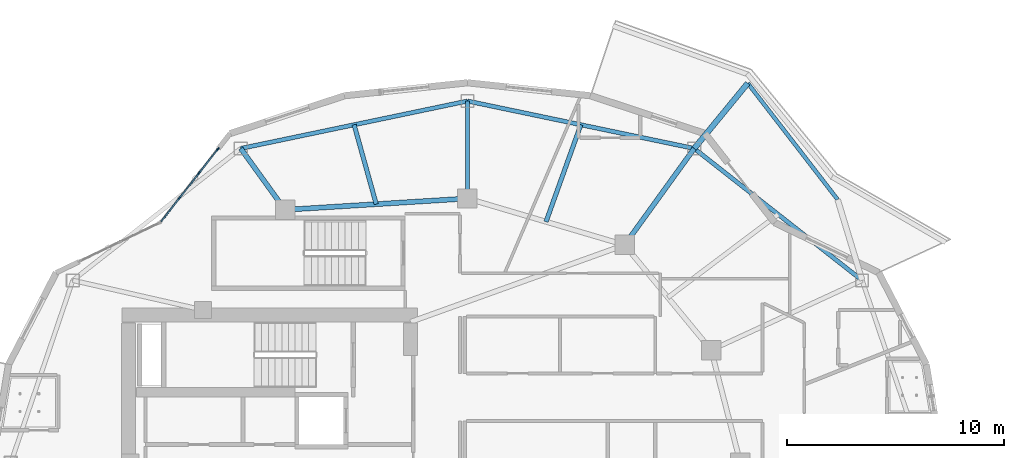
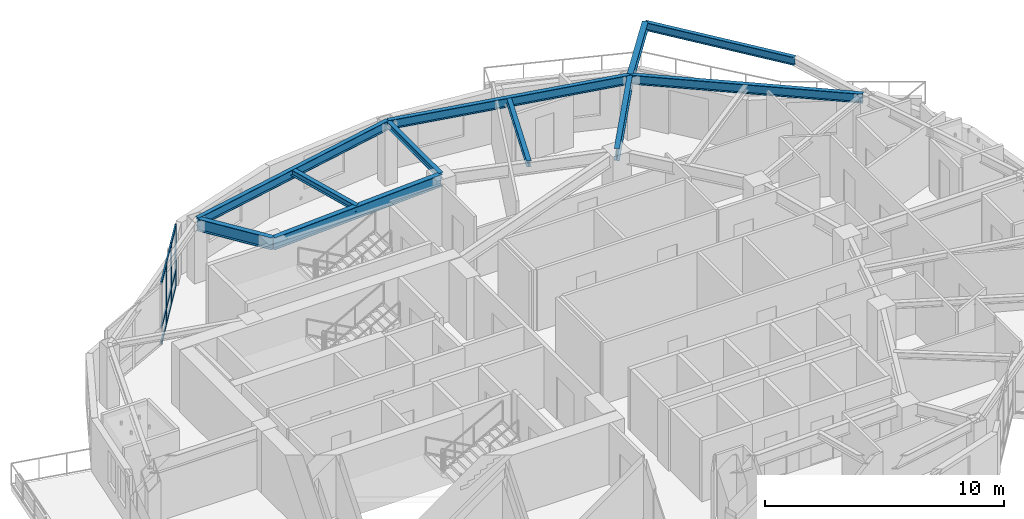
# One storey, part 6 of 19: 12 members, 11 beams, 1 element without a shape of its own.
"""IFC4 building model written with IfcOpenShell, lengths in metres."""

from ifc_helpers import new_model, si_unit, direction, frame, origin, origin_2d, place, context, subcontext, project, spatial, rectangle, i_section, extrude, material, layer, layer_set, material_profile, profile_set, type_object, element, aggregate, save


model = new_model("IFC4")

# Units and contexts
model_context = context("Model", 3, precision=1e-05, world=origin(), true_north=direction((0.0, 1.0)))
body_context = subcontext(model_context, "Body", "Model", "MODEL_VIEW")
ifc_project = project(units=[si_unit("LENGTHUNIT", "METRE"), si_unit("AREAUNIT", "SQUARE_METRE"), si_unit("VOLUMEUNIT", "CUBIC_METRE"), si_unit("PLANEANGLEUNIT", "RADIAN"), si_unit("MASSUNIT", "GRAM", prefix="KILO")], contexts=[model_context])

# Site, building, storey
site_placement = place(None, origin())
site = spatial("IfcSite", under=ifc_project, at=site_placement, CompositionType="ELEMENT")
building_placement = place(site_placement, origin())
building = spatial("IfcBuilding", under=site, at=building_placement, Name="Kolvaren Gate Tower and Convention Centre", CompositionType="ELEMENT")
storey_placement = place(building_placement, frame((0.0, 0.0, 163.10009765625)))
storey = spatial("IfcBuildingStorey", under=building, at=storey_placement, Name="L42", CompositionType="ELEMENT", Elevation=163.10009765625)

# Curtain wall, members
ifc_material_1 = material(Name="Anodized Architectural Aluminium Alloy 6063-T6", Category="aluminium")
ifc_layer = layer(ifc_material_1, 0.159912109375)
ifc_layer_set = layer_set([ifc_layer], Name="Anodized Architectural Aluminium Alloy 6063-T6")
curtain_wall_type = type_object("IfcCurtainWallType", Name="CW-HTL-UNIT", PredefinedType="NOTDEFINED", material=ifc_layer_set)
curtain_wall_placement = place(storey_placement, origin())
curtain_wall = element("IfcCurtainWall", 1, at=curtain_wall_placement, inside=storey, type_object=curtain_wall_type, Name="Tower L42 Unitised Curtain Wall CW-HTL-UNIT Bay 08", PredefinedType="NOTDEFINED")
ifc_material_profile_1 = material_profile(ifc_material_1, rectangle(XDim=0.06494140625, YDim=0.159912109375, at=origin_2d()), Name="CW-MEM-MUL-160")
ifc_profile_set_1 = profile_set([ifc_material_profile_1], Name="Anodized Architectural Aluminium Alloy 6063-T6")
member_type_1 = type_object("IfcMemberType", Name="CW-MEM-MUL-160", PredefinedType="MULLION", material=ifc_profile_set_1)
member_1_placement = place(storey_placement, frame((16.829833984375, 39.22705078125, 0.0), z_axis=(0.0, 0.0, 1.0), x_axis=(-0.787394793807, 0.616449056034, 0.0)))
member_1 = element("IfcMember", 2, at=member_1_placement, type_object=member_type_1, Name="CW-03 mullion 2", PredefinedType="MULLION", context=body_context, shape_type="SweptSolid", body=[
    extrude(rectangle(XDim=0.06494140625, YDim=0.159912109375, at=origin_2d()), origin(), (0.0, 0.0, 1.0), 3.1298828125),
])
member_2_placement = place(storey_placement, frame((17.722900390625, 40.367919921875, 0.0), z_axis=(0.0, 0.0, 1.0), x_axis=(-0.787394793807, 0.616449056034, 0.0)))
member_2 = element("IfcMember", 3, at=member_2_placement, type_object=member_type_1, Name="CW-03 mullion 3", PredefinedType="MULLION", context=body_context, shape_type="SweptSolid", body=[
    extrude(rectangle(XDim=0.06494140625, YDim=0.159912109375, at=origin_2d()), origin(), (0.0, 0.0, 1.0), 3.1298828125),
])
member_3_placement = place(storey_placement, frame((18.59619140625, 41.483154296875, 0.0), z_axis=(0.0, 0.0, 1.0), x_axis=(-0.787394793807, 0.616449056034, 0.0)))
member_3 = element("IfcMember", 4, at=member_3_placement, type_object=member_type_1, Name="CW-03 mullion 4", PredefinedType="MULLION", context=body_context, shape_type="SweptSolid", body=[
    extrude(rectangle(XDim=0.06494140625, YDim=0.159912109375, at=origin_2d()), origin(), (0.0, 0.0, 1.0), 3.1298828125),
])
ifc_material_profile_2 = material_profile(ifc_material_1, rectangle(XDim=0.06494140625, YDim=0.159912109375, at=origin_2d()), Name="CW-MEM-TRN-160")
ifc_profile_set_2 = profile_set([ifc_material_profile_2], Name="Anodized Architectural Aluminium Alloy 6063-T6")
member_type_2 = type_object("IfcMemberType", Name="CW-MEM-TRN-160", PredefinedType="USERDEFINED", material=ifc_profile_set_2)
member_4_placement = place(storey_placement, frame((15.9765625, 38.13720703125, 0.032470703125), z_axis=(0.616488451497, 0.787363949626, 0.0), x_axis=(-0.787363949626, 0.616488451497, 0.0)))
member_4 = element("IfcMember", 5, at=member_4_placement, type_object=member_type_2, Name="CW-03 transom 1.1", ObjectType="TRANSOM", PredefinedType="USERDEFINED", context=body_context, shape_type="SweptSolid", body=[
    extrude(rectangle(XDim=0.06494140625, YDim=0.159912109375, at=origin_2d()), origin(), (0.0, 0.0, 1.0), 1.3515625),
])
member_5_placement = place(storey_placement, frame((15.9765625, 38.13720703125, 0.849853515625), z_axis=(0.616488451497, 0.787363949626, 0.0), x_axis=(-0.787363949626, 0.616488451497, 0.0)))
member_5 = element("IfcMember", 6, at=member_5_placement, type_object=member_type_2, Name="CW-03 transom 1.2", ObjectType="TRANSOM", PredefinedType="USERDEFINED", context=body_context, shape_type="SweptSolid", body=[
    extrude(rectangle(XDim=0.06494140625, YDim=0.159912109375, at=origin_2d()), origin(), (0.0, 0.0, 1.0), 1.3515625),
])
member_6_placement = place(storey_placement, frame((15.9765625, 38.13720703125, 3.097412109375), z_axis=(0.616488451497, 0.787363949626, 0.0), x_axis=(-0.787363949626, 0.616488451497, 0.0)))
member_6 = element("IfcMember", 7, at=member_6_placement, type_object=member_type_2, Name="CW-03 transom 1.3", ObjectType="TRANSOM", PredefinedType="USERDEFINED", context=body_context, shape_type="SweptSolid", body=[
    extrude(rectangle(XDim=0.06494140625, YDim=0.159912109375, at=origin_2d()), origin(), (0.0, 0.0, 1.0), 1.3515625),
])
member_7_placement = place(storey_placement, frame((16.849853515625, 39.25244140625, 0.032470703125), z_axis=(0.616355825524, 0.787467774796, 0.0), x_axis=(-0.787467774796, 0.616355825524, 0.0)))
member_7 = element("IfcMember", 8, at=member_7_placement, type_object=member_type_2, Name="CW-03 transom 2.1", ObjectType="TRANSOM", PredefinedType="USERDEFINED", context=body_context, shape_type="SweptSolid", body=[
    extrude(rectangle(XDim=0.06494140625, YDim=0.159912109375, at=origin_2d()), origin(), (0.0, 0.0, 1.0), 1.384033203125),
])
member_8_placement = place(storey_placement, frame((16.849853515625, 39.25244140625, 0.849853515625), z_axis=(0.616355825524, 0.787467774796, 0.0), x_axis=(-0.787467774796, 0.616355825524, 0.0)))
member_8 = element("IfcMember", 9, at=member_8_placement, type_object=member_type_2, Name="CW-03 transom 2.2", ObjectType="TRANSOM", PredefinedType="USERDEFINED", context=body_context, shape_type="SweptSolid", body=[
    extrude(rectangle(XDim=0.06494140625, YDim=0.159912109375, at=origin_2d()), origin(), (0.0, 0.0, 1.0), 1.384033203125),
])
member_9_placement = place(storey_placement, frame((16.849853515625, 39.25244140625, 3.097412109375), z_axis=(0.616355825524, 0.787467774796, 0.0), x_axis=(-0.787467774796, 0.616355825524, 0.0)))
member_9 = element("IfcMember", 10, at=member_9_placement, type_object=member_type_2, Name="CW-03 transom 2.3", ObjectType="TRANSOM", PredefinedType="USERDEFINED", context=body_context, shape_type="SweptSolid", body=[
    extrude(rectangle(XDim=0.06494140625, YDim=0.159912109375, at=origin_2d()), origin(), (0.0, 0.0, 1.0), 1.384033203125),
])
member_10_placement = place(storey_placement, frame((17.742919921875, 40.3935546875, 0.032470703125), z_axis=(0.61657613784, 0.787295285294, 0.0), x_axis=(-0.787295285294, 0.61657613784, 0.0)))
member_10 = element("IfcMember", 11, at=member_10_placement, type_object=member_type_2, Name="CW-03 transom 3.1", ObjectType="TRANSOM", PredefinedType="USERDEFINED", context=body_context, shape_type="SweptSolid", body=[
    extrude(rectangle(XDim=0.06494140625, YDim=0.159912109375, at=origin_2d()), origin(), (0.0, 0.0, 1.0), 1.351318359375),
])
member_11_placement = place(storey_placement, frame((17.742919921875, 40.3935546875, 0.849853515625), z_axis=(0.61657613784, 0.787295285294, 0.0), x_axis=(-0.787295285294, 0.61657613784, 0.0)))
member_11 = element("IfcMember", 12, at=member_11_placement, type_object=member_type_2, Name="CW-03 transom 3.2", ObjectType="TRANSOM", PredefinedType="USERDEFINED", context=body_context, shape_type="SweptSolid", body=[
    extrude(rectangle(XDim=0.06494140625, YDim=0.159912109375, at=origin_2d()), origin(), (0.0, 0.0, 1.0), 1.351318359375),
])
member_12_placement = place(storey_placement, frame((17.742919921875, 40.3935546875, 3.097412109375), z_axis=(0.61657613784, 0.787295285294, 0.0), x_axis=(-0.787295285294, 0.61657613784, 0.0)))
member_12 = element("IfcMember", 13, at=member_12_placement, type_object=member_type_2, Name="CW-03 transom 3.3", ObjectType="TRANSOM", PredefinedType="USERDEFINED", context=body_context, shape_type="SweptSolid", body=[
    extrude(rectangle(XDim=0.06494140625, YDim=0.159912109375, at=origin_2d()), origin(), (0.0, 0.0, 1.0), 1.351318359375),
])
aggregate(curtain_wall, [member_1, member_2, member_3, member_4, member_5, member_6, member_7, member_8, member_9, member_10, member_11, member_12])

# Beams
ifc_material_2 = material(Name="Structural steel ASTM A992 Grade 345 MPa", Category="steel")
ifc_material_profile_3 = material_profile(ifc_material_2, i_section(OverallWidth=0.260009765625, OverallDepth=0.419921875, WebThickness=0.013427734375, FlangeThickness=0.0224609375, at=origin_2d()), Name="W410X132")
ifc_profile_set_3 = profile_set([ifc_material_profile_3], Name="Structural steel ASTM A992 Grade 345 MPa")
beam_type_1 = type_object("IfcBeamType", Name="STR-BM-W410X132", PredefinedType="BEAM", material=ifc_profile_set_3)
beam_1_placement = place(storey_placement, frame((40.596435546875, 41.509521484375, 2.92041015625), z_axis=(0.634334838323, 0.773058414927, 0.0), x_axis=(-0.773058414927, 0.634334838323, 0.0)))
element("IfcBeam", 14, at=beam_1_placement, inside=storey, type_object=beam_type_1, Name="Tower L43 Planted Balcony Outrigger Cantilever BC-1B", PredefinedType="BEAM", context=body_context, shape_type="SweptSolid", body=[
    extrude(i_section(OverallWidth=0.260009765625, OverallDepth=0.419921875, WebThickness=0.013427734375, FlangeThickness=0.0224609375, at=origin_2d()), origin(), (0.0, 0.0, 1.0), 3.89990234375),
])
ifc_material_profile_4 = material_profile(ifc_material_2, i_section(OverallWidth=0.22998046875, OverallDepth=0.616943359375, WebThickness=0.01318359375, FlangeThickness=0.022216796875, at=origin_2d()), Name="W610X140")
ifc_profile_set_4 = profile_set([ifc_material_profile_4], Name="Structural steel ASTM A992 Grade 345 MPa")
beam_type_2 = type_object("IfcBeamType", Name="STR-BM-W610X140", PredefinedType="BEAM", material=ifc_profile_set_4)
beam_2_placement = place(storey_placement, frame((30.125, 39.199951171875, 2.8212890625), z_axis=(-0.998078258568, -0.06196603726, 0.0), x_axis=(0.06196603726, -0.998078258568, 0.0)))
element("IfcBeam", 15, at=beam_2_placement, inside=storey, type_object=beam_type_2, Name="Tower L42 Primary Ring Girder G-04", PredefinedType="BEAM", context=body_context, shape_type="SweptSolid", body=[
    extrude(i_section(OverallWidth=0.22998046875, OverallDepth=0.616943359375, WebThickness=0.01318359375, FlangeThickness=0.022216796875, at=origin_2d()), origin(), (0.0, 0.0, 1.0), 8.443115234375),
])
beam_3_placement = place(storey_placement, frame((37.381591796875, 37.054931640625, 2.8212890625), z_axis=(0.58520818289, 0.810883088169, 0.0), x_axis=(-0.810883088169, 0.58520818289, 0.0)))
element("IfcBeam", 16, at=beam_3_placement, inside=storey, type_object=beam_type_2, Name="Tower L42 Radial Floor Girder RB-03", PredefinedType="BEAM", context=body_context, shape_type="SweptSolid", body=[
    extrude(i_section(OverallWidth=0.22998046875, OverallDepth=0.616943359375, WebThickness=0.01318359375, FlangeThickness=0.022216796875, at=origin_2d()), origin(), (0.0, 0.0, 1.0), 5.493408203125),
])
beam_4_placement = place(storey_placement, frame((21.697998046875, 38.6767578125, 2.8212890625), z_axis=(-0.585171547435, 0.810909526441, 0.0), x_axis=(-0.810909526441, -0.585171547435, 0.0)))
element("IfcBeam", 17, at=beam_4_placement, inside=storey, type_object=beam_type_2, Name="Tower L42 Radial Floor Girder RB-05", PredefinedType="BEAM", context=body_context, shape_type="SweptSolid", body=[
    extrude(i_section(OverallWidth=0.22998046875, OverallDepth=0.616943359375, WebThickness=0.01318359375, FlangeThickness=0.022216796875, at=origin_2d()), origin(), (0.0, 0.0, 1.0), 3.493408203125),
])
ifc_material_profile_5 = material_profile(ifc_material_2, i_section(OverallWidth=0.205078125, OverallDepth=0.31005859375, WebThickness=0.009521484375, FlangeThickness=0.016357421875, at=origin_2d()), Name="W310X74")
ifc_profile_set_5 = profile_set([ifc_material_profile_5], Name="Structural steel ASTM A992 Grade 345 MPa")
beam_type_3 = type_object("IfcBeamType", Name="STR-JS-W310X74", PredefinedType="JOIST", material=ifc_profile_set_5)
beam_5_placement = place(storey_placement, frame((30.125, 39.199951171875, 2.974853515625), z_axis=(0.0, 1.0, 0.0), x_axis=(-1.0, 0.0, 0.0)))
element("IfcBeam", 18, at=beam_5_placement, inside=storey, type_object=beam_type_3, Name="Tower L42 Radial Floor Girder RB-04", PredefinedType="JOIST", context=body_context, shape_type="SweptSolid", body=[
    extrude(i_section(OverallWidth=0.205078125, OverallDepth=0.31005859375, WebThickness=0.009521484375, FlangeThickness=0.016357421875, at=origin_2d()), origin(), (0.0, 0.0, 1.0), 4.5),
])
beam_6_placement = place(storey_placement, frame((33.75341796875, 38.12744140625, 2.974853515625), z_axis=(0.33785426197, 0.941198436924, 0.0), x_axis=(-0.941198436924, 0.33785426197, 0.0)))
element("IfcBeam", 19, at=beam_6_placement, inside=storey, type_object=beam_type_3, Name="Tower L42 Secondary Composite Floor Joist J-03.1", PredefinedType="JOIST", context=body_context, shape_type="SweptSolid", body=[
    extrude(i_section(OverallWidth=0.205078125, OverallDepth=0.31005859375, WebThickness=0.009521484375, FlangeThickness=0.016357421875, at=origin_2d()), origin(), (0.0, 0.0, 1.0), 4.757080078125),
])
beam_7_placement = place(storey_placement, frame((25.91162109375, 38.938232421875, 2.974853515625), z_axis=(-0.26855678261, 0.963263855085, 0.0), x_axis=(-0.963263855085, -0.26855678261, 0.0)))
element("IfcBeam", 20, at=beam_7_placement, inside=storey, type_object=beam_type_3, Name="Tower L42 Secondary Composite Floor Joist J-04.1", PredefinedType="JOIST", context=body_context, shape_type="SweptSolid", body=[
    extrude(i_section(OverallWidth=0.205078125, OverallDepth=0.31005859375, WebThickness=0.009521484375, FlangeThickness=0.016357421875, at=origin_2d()), origin(), (0.0, 0.0, 1.0), 3.806396484375),
])
ifc_material_profile_6 = material_profile(ifc_material_2, i_section(OverallWidth=0.180908203125, OverallDepth=0.4169921875, WebThickness=0.010986328125, FlangeThickness=0.018310546875, at=origin_2d()), Name="W410X85")
ifc_profile_set_6 = profile_set([ifc_material_profile_6], Name="Structural steel ASTM A992 Grade 345 MPa")
beam_type_4 = type_object("IfcBeamType", Name="STR-SP-W410X85", PredefinedType="SPANDREL", material=ifc_profile_set_6)
beam_8_placement = place(storey_placement, frame((47.22021484375, 39.15087890625, 2.921875), z_axis=(-0.611228468279, 0.791454205602, 0.0), x_axis=(-0.791454205602, -0.611228468279, 0.0)))
element("IfcBeam", 21, at=beam_8_placement, inside=storey, type_object=beam_type_4, Name="Tower L43 Planted Balcony Header Tie Beam BT-1", PredefinedType="SPANDREL", context=body_context, shape_type="SweptSolid", body=[
    extrude(i_section(OverallWidth=0.180908203125, OverallDepth=0.4169921875, WebThickness=0.010986328125, FlangeThickness=0.018310546875, at=origin_2d()), origin(), (0.0, 0.0, 1.0), 6.78955078125),
])
ifc_material_profile_7 = material_profile(ifc_material_2, i_section(OverallWidth=0.194091796875, OverallDepth=0.468994140625, WebThickness=0.0126953125, FlangeThickness=0.0205078125, at=origin_2d()), Name="W460X106")
ifc_profile_set_7 = profile_set([ifc_material_profile_7], Name="Structural steel ASTM A992 Grade 345 MPa")
beam_type_5 = type_object("IfcBeamType", Name="STR-SP-W460X106", PredefinedType="SPANDREL", material=ifc_profile_set_7)
beam_9_placement = place(storey_placement, frame((48.351806640625, 35.418701171875, 2.8955078125), z_axis=(-0.786450621777, 0.617653154697, 0.0), x_axis=(-0.617653154697, -0.786450621777, 0.0)))
element("IfcBeam", 22, at=beam_9_placement, inside=storey, type_object=beam_type_5, Name="Tower L42 Perimeter Spandrel Beam SP-02", PredefinedType="SPANDREL", context=body_context, shape_type="SweptSolid", body=[
    extrude(i_section(OverallWidth=0.194091796875, OverallDepth=0.468994140625, WebThickness=0.0126953125, FlangeThickness=0.0205078125, at=origin_2d()), origin(), (0.0, 0.0, 1.0), 9.861328125),
])
beam_10_placement = place(storey_placement, frame((40.596435546875, 41.509521484375, 2.8955078125), z_axis=(-0.978814350133, 0.204749769168, 0.0), x_axis=(-0.204749769168, -0.978814350133, 0.0)))
element("IfcBeam", 23, at=beam_10_placement, inside=storey, type_object=beam_type_5, Name="Tower L42 Perimeter Spandrel Beam SP-03", PredefinedType="SPANDREL", context=body_context, shape_type="SweptSolid", body=[
    extrude(i_section(OverallWidth=0.194091796875, OverallDepth=0.468994140625, WebThickness=0.0126953125, FlangeThickness=0.0205078125, at=origin_2d()), origin(), (0.0, 0.0, 1.0), 10.697998046875),
])
beam_11_placement = place(storey_placement, frame((30.125, 43.699951171875, 2.8955078125), z_axis=(-0.978813393389, -0.204754342865, 0.0), x_axis=(0.204754342865, -0.978813393389, 0.0)))
element("IfcBeam", 24, at=beam_11_placement, inside=storey, type_object=beam_type_5, Name="Tower L42 Perimeter Spandrel Beam SP-04", PredefinedType="SPANDREL", context=body_context, shape_type="SweptSolid", body=[
    extrude(i_section(OverallWidth=0.194091796875, OverallDepth=0.468994140625, WebThickness=0.0126953125, FlangeThickness=0.0205078125, at=origin_2d()), origin(), (0.0, 0.0, 1.0), 10.69775390625),
])

save(model, "model.ifc")
